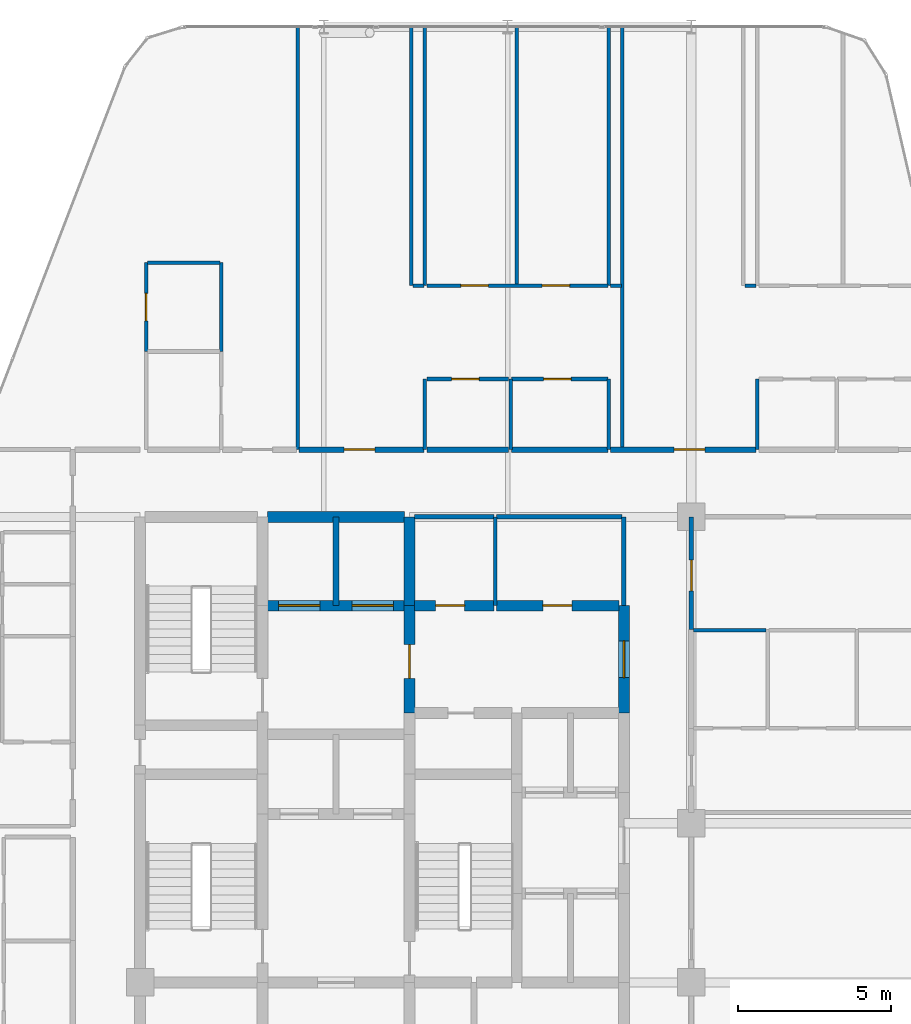
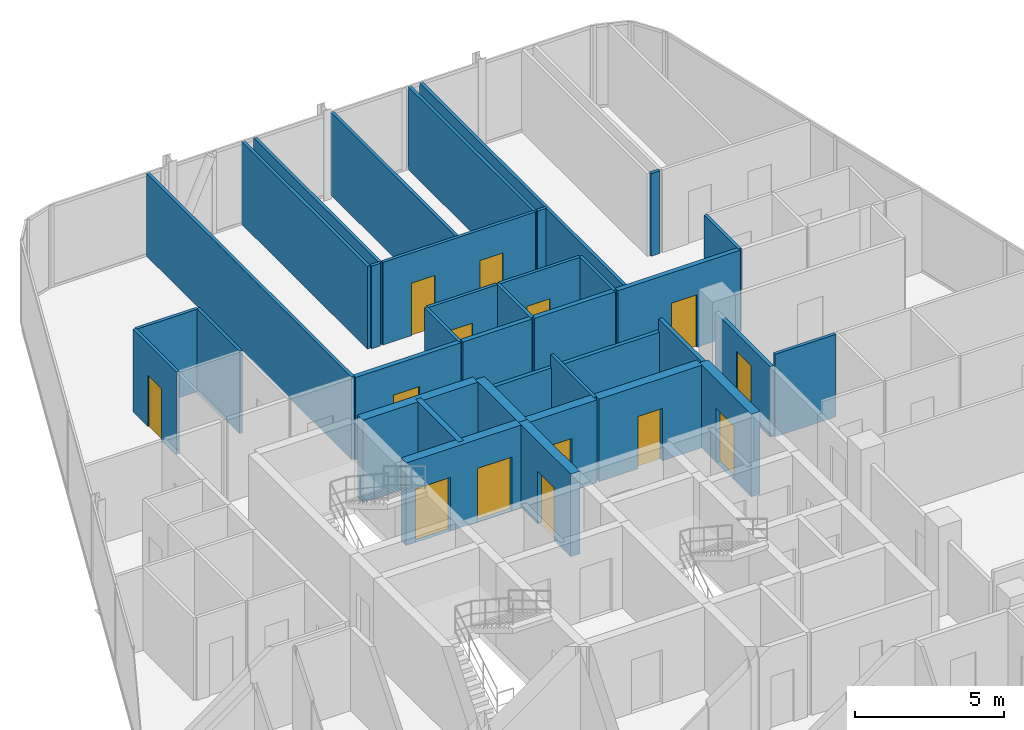
# One storey, part 27 of 29: 37 walls, 14 doors, 14 openings.
"""IFC4 building model written with IfcOpenShell, lengths in metres."""

from ifc_helpers import new_model, si_unit, direction, frame, frame_2d, origin, place, context, subcontext, project, spatial, rectangle, extrude, material, layer, layer_set, type_object, element, fill, save


model = new_model("IFC4")

# Units and contexts
model_context = context("Model", 3, precision=1e-05, world=origin(), true_north=direction((0.0, 1.0)))
body_context = subcontext(model_context, "Body", "Model", "MODEL_VIEW")
ifc_project = project(units=[si_unit("LENGTHUNIT", "METRE"), si_unit("AREAUNIT", "SQUARE_METRE"), si_unit("VOLUMEUNIT", "CUBIC_METRE"), si_unit("PLANEANGLEUNIT", "RADIAN"), si_unit("MASSUNIT", "GRAM", prefix="KILO")], contexts=[model_context])

# Site, building, storey
site_placement = place(None, origin())
site = spatial("IfcSite", under=ifc_project, at=site_placement, CompositionType="ELEMENT")
building_placement = place(site_placement, origin())
building = spatial("IfcBuilding", under=site, at=building_placement, Name="Keshet Zoharim Tower", CompositionType="ELEMENT")
storey_placement = place(building_placement, frame((0.0, 0.0, 199.5)))
storey = spatial("IfcBuildingStorey", under=building, at=storey_placement, Name="L49", CompositionType="ELEMENT", Elevation=199.5)

# Wall
ifc_material_1 = material(Name="Gypsum Plasterboard", Category="gypsum")
ifc_layer_1 = layer(ifc_material_1, 0.14990234375)
ifc_layer_set_1 = layer_set([ifc_layer_1], Name="Gypsum Plasterboard")
wall_type_1 = type_object("IfcWallType", Name="WL-CLIN-150", PredefinedType="STANDARD", material=ifc_layer_set_1)
wall_1_placement = place(storey_placement, frame((30.800048828125, 35.0, 0.0), z_axis=(0.0, 0.0, 1.0), x_axis=(0.0, 1.0, 0.0)))
element("IfcWall", 1, at=wall_1_placement, inside=storey, type_object=wall_type_1, Name="L49 Interior Wall 067", PredefinedType="STANDARD", context=body_context, shape_type="SweptSolid", body=[
    extrude(rectangle(XDim=2.89990234375, YDim=0.14990234375, at=frame_2d((1.449951171875, 0.0))), origin(), (0.0, 0.0, 1.0), 3.389892578125),
])

# Wall, opening, door
wall_2_placement = place(storey_placement, frame((33.0, 34.219970703125, 0.0), z_axis=(0.0, 0.0, 1.0), x_axis=(0.0, 1.0, 0.0)))
wall_2 = element("IfcWall", 2, at=wall_2_placement, inside=storey, type_object=wall_type_1, Name="L49 Interior Wall 074", PredefinedType="STANDARD", context=body_context, shape_type="SweptSolid", body=[
    extrude(rectangle(XDim=3.679931640625, YDim=0.14990234375, at=frame_2d((1.83984375, 0.0))), origin(), (0.0, 0.0, 1.0), 2.889892578125),
])
opening_1_placement = place(wall_2_placement, frame((1.26806640625, 0.0, 0.0)))
opening_1 = element("IfcOpeningElement", 3, at=opening_1_placement, cuts=wall_2, Name="Opening D-F310", PredefinedType="OPENING", context=body_context, shape_type="SweptSolid", body=[
    extrude(rectangle(XDim=1.0, YDim=2.14990234375, at=frame_2d((0.5, 1.074951171875))), frame((0.0, 0.0849609375, 0.0), z_axis=(0.0, -1.0, 0.0), x_axis=(1.0, 0.0, 0.0)), (0.0, 0.0, 1.0), 0.169921875),
])
ifc_material_2 = material(Name="Hardwood Timber", Category="wood")
door_type_1 = type_object("IfcDoorType", Name="DR-FD30-100", OperationType="NOTDEFINED", PredefinedType="DOOR", material=ifc_material_2)
door_1_placement = place(opening_1_placement, origin())
door_1 = element("IfcDoor", 4, at=door_1_placement, inside=storey, type_object=door_type_1, Name="L49 North West Residents Services Suite Door 2", OperationType="SINGLE_SWING_RIGHT", OverallHeight=2.14990234375, OverallWidth=1.0, PredefinedType="DOOR", context=body_context, shape_type="SweptSolid", body=[
    extrude(rectangle(XDim=1.0, YDim=2.14990234375, at=frame_2d((0.5, 1.074951171875))), frame((0.0, 0.02490234375, 0.0), z_axis=(0.0, -1.0, 0.0), x_axis=(1.0, 0.0, 0.0)), (0.0, 0.0, 1.0), 0.050048828125),
])
fill(opening_1, door_1)

# Walls
wall_3_placement = place(storey_placement, frame((23.9599609375, 37.89990234375, 0.0), z_axis=(0.0, 0.0, 1.0), x_axis=(1.0, 0.0, 0.0)))
element("IfcWall", 5, at=wall_3_placement, inside=storey, type_object=wall_type_1, Name="L49 Interior Wall 177", PredefinedType="STANDARD", context=body_context, shape_type="SweptSolid", body=[
    extrude(rectangle(XDim=2.594970703125, YDim=0.14990234375, at=frame_2d((1.29736328125, 0.0))), origin(), (0.0, 0.0, 1.0), 2.889892578125),
])
wall_4_placement = place(storey_placement, frame((26.64501953125, 37.89990234375, 0.0), z_axis=(0.0, 0.0, 1.0), x_axis=(1.0, 0.0, 0.0)))
element("IfcWall", 6, at=wall_4_placement, inside=storey, type_object=wall_type_1, Name="L49 Interior Wall 178", PredefinedType="STANDARD", context=body_context, shape_type="SweptSolid", body=[
    extrude(rectangle(XDim=4.094970703125, YDim=0.14990234375, at=frame_2d((2.04736328125, 0.0))), origin(), (0.0, 0.0, 1.0), 2.889892578125),
])

# Wall, opening, door
ifc_material_3 = material(Name="Concrete C60/75", Category="concrete")
ifc_layer_2 = layer(ifc_material_3, 0.35009765625)
ifc_layer_set_2 = layer_set([ifc_layer_2], Name="Concrete C60/75")
wall_type_2 = type_object("IfcWallType", Name="WL-CORE-350", PredefinedType="SHEAR", material=ifc_layer_set_2)
wall_5_placement = place(storey_placement, frame((23.800048828125, 31.5, 0.0), z_axis=(0.0, 0.0, 1.0), x_axis=(0.0, 1.0, 0.0)))
wall_5 = element("IfcWall", 7, at=wall_5_placement, inside=storey, type_object=wall_type_2, Name="L49 Core Shear Wall 042", PredefinedType="SHEAR", context=body_context, shape_type="SweptSolid", body=[
    extrude(rectangle(XDim=3.5, YDim=0.35009765625, at=frame_2d((1.75, 0.0))), origin(), (0.0, 0.0, 1.0), 3.389892578125),
])
opening_2_placement = place(wall_5_placement, frame((1.126953125, 0.0, 0.0)))
opening_2 = element("IfcOpeningElement", 8, at=opening_2_placement, cuts=wall_5, Name="Opening D-F611", PredefinedType="OPENING", context=body_context, shape_type="SweptSolid", body=[
    extrude(rectangle(XDim=1.10009765625, YDim=2.14990234375, at=frame_2d((0.550048828125, 1.074951171875))), frame((0.0, 0.18505859375, 0.0), z_axis=(0.0, -1.0, 0.0), x_axis=(1.0, 0.0, 0.0)), (0.0, 0.0, 1.0), 0.3701171875),
])
door_type_2 = type_object("IfcDoorType", Name="DR-FD60-110", OperationType="NOTDEFINED", PredefinedType="DOOR", material=ifc_material_2)
door_2_placement = place(opening_2_placement, origin())
door_2 = element("IfcDoor", 9, at=door_2_placement, inside=storey, type_object=door_type_2, Name="L49 Firefighting Lobby Fire Door", OperationType="SINGLE_SWING_LEFT", OverallHeight=2.14990234375, OverallWidth=1.10009765625, PredefinedType="DOOR", context=body_context, shape_type="SweptSolid", body=[
    extrude(rectangle(XDim=1.10009765625, YDim=2.14990234375, at=frame_2d((0.550048828125, 1.074951171875))), frame((0.0, 0.02490234375, 0.0), z_axis=(0.0, -1.0, 0.0), x_axis=(1.0, 0.0, 0.0)), (0.0, 0.0, 1.0), 0.050048828125),
])
fill(opening_2, door_2)

# Wall
wall_6_placement = place(storey_placement, frame((23.800048828125, 35.0, 0.0), z_axis=(0.0, 0.0, 1.0), x_axis=(0.0, 1.0, 0.0)))
element("IfcWall", 10, at=wall_6_placement, inside=storey, type_object=wall_type_2, Name="L49 Core Shear Wall 043", PredefinedType="SHEAR", context=body_context, shape_type="SweptSolid", body=[
    extrude(rectangle(XDim=2.89990234375, YDim=0.35009765625, at=frame_2d((1.449951171875, 0.0))), origin(), (0.0, 0.0, 1.0), 3.389892578125),
])

# Wall, opening, door
wall_7_placement = place(storey_placement, frame((30.800048828125, 31.5, 0.0), z_axis=(0.0, 0.0, 1.0), x_axis=(0.0, 1.0, 0.0)))
wall_7 = element("IfcWall", 11, at=wall_7_placement, inside=storey, type_object=wall_type_2, Name="L49 Core Shear Wall 066", PredefinedType="SHEAR", context=body_context, shape_type="SweptSolid", body=[
    extrude(rectangle(XDim=3.5, YDim=0.35009765625, at=frame_2d((1.75, 0.0))), origin(), (0.0, 0.0, 1.0), 3.389892578125),
])
opening_3_placement = place(wall_7_placement, frame((1.14990234375, 0.0, 0.0)))
opening_3 = element("IfcOpeningElement", 12, at=opening_3_placement, cuts=wall_7, Name="Opening D-F612", PredefinedType="OPENING", context=body_context, shape_type="SweptSolid", body=[
    extrude(rectangle(XDim=1.199951171875, YDim=2.199951171875, at=frame_2d((0.60009765625, 1.10009765625))), frame((0.0, 0.18505859375, 0.0), z_axis=(0.0, -1.0, 0.0), x_axis=(1.0, 0.0, 0.0)), (0.0, 0.0, 1.0), 0.3701171875),
])
door_type_3 = type_object("IfcDoorType", Name="DR-FD60-120", OperationType="NOTDEFINED", PredefinedType="DOOR", material=ifc_material_2)
door_3_placement = place(opening_3_placement, origin())
door_3 = element("IfcDoor", 13, at=door_3_placement, inside=storey, type_object=door_type_3, Name="L49 North Lift Lobby East Fire Door", OperationType="SINGLE_SWING_LEFT", OverallHeight=2.199951171875, OverallWidth=1.199951171875, PredefinedType="DOOR", context=body_context, shape_type="SweptSolid", body=[
    extrude(rectangle(XDim=1.199951171875, YDim=2.199951171875, at=frame_2d((0.60009765625, 1.10009765625))), frame((0.0, 0.02490234375, 0.0), z_axis=(0.0, -1.0, 0.0), x_axis=(1.0, 0.0, 0.0)), (0.0, 0.0, 1.0), 0.050048828125),
])
fill(opening_3, door_3)

# Wall, openings, doors
wall_8_placement = place(storey_placement, frame((19.159912109375, 35.0, 0.0), z_axis=(0.0, 0.0, 1.0), x_axis=(1.0, 0.0, 0.0)))
wall_8 = element("IfcWall", 14, at=wall_8_placement, inside=storey, type_object=wall_type_2, Name="L49 Core Shear Wall 170", PredefinedType="SHEAR", context=body_context, shape_type="SweptSolid", body=[
    extrude(rectangle(XDim=4.47998046875, YDim=0.35009765625, at=frame_2d((2.239990234375, 0.0))), origin(), (0.0, 0.0, 1.0), 3.389892578125),
])
opening_4_placement = place(wall_8_placement, frame((0.364990234375, 0.0, 0.0)))
opening_4 = element("IfcOpeningElement", 15, at=opening_4_placement, cuts=wall_8, Name="Opening LD-02", PredefinedType="OPENING", context=body_context, shape_type="SweptSolid", body=[
    extrude(rectangle(XDim=1.35009765625, YDim=2.199951171875, at=frame_2d((0.675048828125, 1.10009765625))), frame((0.0, 0.18505859375, 0.0), z_axis=(0.0, -1.0, 0.0), x_axis=(1.0, 0.0, 0.0)), (0.0, 0.0, 1.0), 0.3701171875),
])
opening_5_placement = place(wall_8_placement, frame((2.764892578125, 0.0, 0.0)))
opening_5 = element("IfcOpeningElement", 16, at=opening_5_placement, cuts=wall_8, Name="Opening LD-02", PredefinedType="OPENING", context=body_context, shape_type="SweptSolid", body=[
    extrude(rectangle(XDim=1.35009765625, YDim=2.199951171875, at=frame_2d((0.675048828125, 1.10009765625))), frame((0.0, 0.18505859375, 0.0), z_axis=(0.0, -1.0, 0.0), x_axis=(1.0, 0.0, 0.0)), (0.0, 0.0, 1.0), 0.3701171875),
])
ifc_material_4 = material(Name="Steel S355", Category="steel")
door_type_4 = type_object("IfcDoorType", Name="DR-LD02-135", OperationType="DOUBLE_DOOR_SLIDING", PredefinedType="DOOR", material=ifc_material_4)
door_4_placement = place(opening_4_placement, origin())
door_4 = element("IfcDoor", 17, at=door_4_placement, inside=storey, type_object=door_type_4, Name="L49 Firefighting Lift Landing Door FF-01", OperationType="DOUBLE_DOOR_SLIDING", OverallHeight=2.199951171875, OverallWidth=1.35009765625, PredefinedType="DOOR", context=body_context, shape_type="SweptSolid", body=[
    extrude(rectangle(XDim=1.35009765625, YDim=2.199951171875, at=frame_2d((0.675048828125, 1.10009765625))), frame((0.0, 0.02490234375, 0.0), z_axis=(0.0, -1.0, 0.0), x_axis=(1.0, 0.0, 0.0)), (0.0, 0.0, 1.0), 0.050048828125),
])
fill(opening_4, door_4)
door_5_placement = place(opening_5_placement, origin())
door_5 = element("IfcDoor", 18, at=door_5_placement, inside=storey, type_object=door_type_4, Name="L49 Firefighting Lift Landing Door FF-02", OperationType="DOUBLE_DOOR_SLIDING", OverallHeight=2.199951171875, OverallWidth=1.35009765625, PredefinedType="DOOR", context=body_context, shape_type="SweptSolid", body=[
    extrude(rectangle(XDim=1.35009765625, YDim=2.199951171875, at=frame_2d((0.675048828125, 1.10009765625))), frame((0.0, 0.02490234375, 0.0), z_axis=(0.0, -1.0, 0.0), x_axis=(1.0, 0.0, 0.0)), (0.0, 0.0, 1.0), 0.050048828125),
])
fill(opening_5, door_5)

# Wall, opening, door
wall_9_placement = place(storey_placement, frame((23.9599609375, 35.0, 0.0), z_axis=(0.0, 0.0, 1.0), x_axis=(1.0, 0.0, 0.0)))
wall_9 = element("IfcWall", 19, at=wall_9_placement, inside=storey, type_object=wall_type_2, Name="L49 Core Shear Wall 171", PredefinedType="SHEAR", context=body_context, shape_type="SweptSolid", body=[
    extrude(rectangle(XDim=2.594970703125, YDim=0.35009765625, at=frame_2d((1.29736328125, 0.0))), origin(), (0.0, 0.0, 1.0), 3.389892578125),
])
opening_6_placement = place(wall_9_placement, frame((0.69091796875, 0.0, 0.0)))
opening_6 = element("IfcOpeningElement", 20, at=opening_6_placement, cuts=wall_9, Name="Opening D-F695", PredefinedType="OPENING", context=body_context, shape_type="SweptSolid", body=[
    extrude(rectangle(XDim=0.949951171875, YDim=2.14990234375, at=frame_2d((0.47509765625, 1.074951171875))), frame((0.0, 0.18505859375, 0.0), z_axis=(0.0, -1.0, 0.0), x_axis=(1.0, 0.0, 0.0)), (0.0, 0.0, 1.0), 0.3701171875),
])
door_type_5 = type_object("IfcDoorType", Name="DR-FD60-095", OperationType="NOTDEFINED", PredefinedType="DOOR", material=ifc_material_2)
door_6_placement = place(opening_6_placement, frame((0.949951171875, 0.0, 0.0), z_axis=(0.0, 0.0, 1.0), x_axis=(-1.0, 0.0, 0.0)))
door_6 = element("IfcDoor", 21, at=door_6_placement, inside=storey, type_object=door_type_5, Name="L49 Laundry Room Door", OperationType="SINGLE_SWING_LEFT", OverallHeight=2.14990234375, OverallWidth=0.949951171875, PredefinedType="DOOR", context=body_context, shape_type="SweptSolid", body=[
    extrude(rectangle(XDim=0.949951171875, YDim=2.14990234375, at=frame_2d((0.47509765625, 1.074951171875))), frame((0.0, 0.02490234375, 0.0), z_axis=(0.0, -1.0, 0.0), x_axis=(1.0, 0.0, 0.0)), (0.0, 0.0, 1.0), 0.050048828125),
])
fill(opening_6, door_6)

wall_10_placement = place(storey_placement, frame((26.64501953125, 35.0, 0.0), z_axis=(0.0, 0.0, 1.0), x_axis=(1.0, 0.0, 0.0)))
wall_10 = element("IfcWall", 22, at=wall_10_placement, inside=storey, type_object=wall_type_2, Name="L49 Core Shear Wall 172", PredefinedType="SHEAR", context=body_context, shape_type="SweptSolid", body=[
    extrude(rectangle(XDim=3.994873046875, YDim=0.35009765625, at=frame_2d((1.99755859375, 0.0))), origin(), (0.0, 0.0, 1.0), 3.389892578125),
])
opening_7_placement = place(wall_10_placement, frame((1.508056640625, 0.0, 0.0)))
opening_7 = element("IfcOpeningElement", 23, at=opening_7_placement, cuts=wall_10, Name="Opening D-F695", PredefinedType="OPENING", context=body_context, shape_type="SweptSolid", body=[
    extrude(rectangle(XDim=0.949951171875, YDim=2.14990234375, at=frame_2d((0.47509765625, 1.074951171875))), frame((0.0, 0.18505859375, 0.0), z_axis=(0.0, -1.0, 0.0), x_axis=(1.0, 0.0, 0.0)), (0.0, 0.0, 1.0), 0.3701171875),
])
door_7_placement = place(opening_7_placement, frame((0.949951171875, 0.0, 0.0), z_axis=(0.0, 0.0, 1.0), x_axis=(-1.0, 0.0, 0.0)))
door_7 = element("IfcDoor", 24, at=door_7_placement, inside=storey, type_object=door_type_5, Name="L49 Quiet Study Room Door", OperationType="SINGLE_SWING_RIGHT", OverallHeight=2.14990234375, OverallWidth=0.949951171875, PredefinedType="DOOR", context=body_context, shape_type="SweptSolid", body=[
    extrude(rectangle(XDim=0.949951171875, YDim=2.14990234375, at=frame_2d((0.47509765625, 1.074951171875))), frame((0.0, 0.02490234375, 0.0), z_axis=(0.0, -1.0, 0.0), x_axis=(1.0, 0.0, 0.0)), (0.0, 0.0, 1.0), 0.050048828125),
])
fill(opening_7, door_7)

# Wall
wall_11_placement = place(storey_placement, frame((19.159912109375, 37.89990234375, 0.0), z_axis=(0.0, 0.0, 1.0), x_axis=(1.0, 0.0, 0.0)))
element("IfcWall", 25, at=wall_11_placement, inside=storey, type_object=wall_type_2, Name="L49 Core Shear Wall 176", PredefinedType="SHEAR", context=body_context, shape_type="SweptSolid", body=[
    extrude(rectangle(XDim=4.47998046875, YDim=0.35009765625, at=frame_2d((2.239990234375, 0.0))), origin(), (0.0, 0.0, 1.0), 3.389892578125),
])

# Wall, opening, door
ifc_layer_3 = layer(ifc_material_1, 0.179931640625)
ifc_layer_set_3 = layer_set([ifc_layer_3], Name="Gypsum Plasterboard")
wall_type_3 = type_object("IfcWallType", Name="WL-CORR-180", PredefinedType="STANDARD", material=ifc_layer_set_3)
wall_12_placement = place(storey_placement, frame((20.195068359375, 40.10009765625, 0.0), z_axis=(0.0, 0.0, 1.0), x_axis=(1.0, 0.0, 0.0)))
wall_12 = element("IfcWall", 26, at=wall_12_placement, inside=storey, type_object=wall_type_3, Name="L49 Interior Wall 184", PredefinedType="STANDARD", context=body_context, shape_type="SweptSolid", body=[
    extrude(rectangle(XDim=4.079833984375, YDim=0.179931640625, at=frame_2d((2.0400390625, 0.0))), origin(), (0.0, 0.0, 1.0), 3.389892578125),
])
opening_8_placement = place(wall_12_placement, frame((1.469970703125, 0.0, 0.0)))
opening_8 = element("IfcOpeningElement", 27, at=opening_8_placement, cuts=wall_12, Name="Opening D-F310", PredefinedType="OPENING", context=body_context, shape_type="SweptSolid", body=[
    extrude(rectangle(XDim=1.0, YDim=2.14990234375, at=frame_2d((0.5, 1.074951171875))), frame((0.0, 0.10009765625, 0.0), z_axis=(0.0, -1.0, 0.0), x_axis=(1.0, 0.0, 0.0)), (0.0, 0.0, 1.0), 0.199951171875),
])
door_8_placement = place(opening_8_placement, origin())
door_8 = element("IfcDoor", 28, at=door_8_placement, inside=storey, type_object=door_type_1, Name="Apartment 4906 Entrance Door", OperationType="SINGLE_SWING_LEFT", OverallHeight=2.14990234375, OverallWidth=1.0, PredefinedType="DOOR", context=body_context, shape_type="SweptSolid", body=[
    extrude(rectangle(XDim=1.0, YDim=2.14990234375, at=frame_2d((0.5, 1.074951171875))), frame((0.0, 0.02490234375, 0.0), z_axis=(0.0, -1.0, 0.0), x_axis=(1.0, 0.0, 0.0)), (0.0, 0.0, 1.0), 0.050048828125),
])
fill(opening_8, door_8)

# Walls
wall_13_placement = place(storey_placement, frame((24.364990234375, 40.10009765625, 0.0), z_axis=(0.0, 0.0, 1.0), x_axis=(1.0, 0.0, 0.0)))
element("IfcWall", 29, at=wall_13_placement, inside=storey, type_object=wall_type_3, Name="L49 Interior Wall 185", PredefinedType="STANDARD", context=body_context, shape_type="SweptSolid", body=[
    extrude(rectangle(XDim=2.669921875, YDim=0.179931640625, at=frame_2d((1.3349609375, 0.0))), origin(), (0.0, 0.0, 1.0), 3.389892578125),
])
wall_14_placement = place(storey_placement, frame((27.125, 40.10009765625, 0.0), z_axis=(0.0, 0.0, 1.0), x_axis=(1.0, 0.0, 0.0)))
element("IfcWall", 30, at=wall_14_placement, inside=storey, type_object=wall_type_3, Name="L49 Interior Wall 186", PredefinedType="STANDARD", context=body_context, shape_type="SweptSolid", body=[
    extrude(rectangle(XDim=3.14990234375, YDim=0.179931640625, at=frame_2d((1.574951171875, 0.0))), origin(), (0.0, 0.0, 1.0), 3.389892578125),
])

# Wall, opening, door
wall_15_placement = place(storey_placement, frame((30.364990234375, 40.10009765625, 0.0), z_axis=(0.0, 0.0, 1.0), x_axis=(1.0, 0.0, 0.0)))
wall_15 = element("IfcWall", 31, at=wall_15_placement, inside=storey, type_object=wall_type_3, Name="L49 Interior Wall 187", PredefinedType="STANDARD", context=body_context, shape_type="SweptSolid", body=[
    extrude(rectangle(XDim=4.75, YDim=0.179931640625, at=frame_2d((2.375, 0.0))), origin(), (0.0, 0.0, 1.0), 3.389892578125),
])
opening_9_placement = place(wall_15_placement, frame((2.074951171875, 0.0, 0.0)))
opening_9 = element("IfcOpeningElement", 32, at=opening_9_placement, cuts=wall_15, Name="Opening D-F310", PredefinedType="OPENING", context=body_context, shape_type="SweptSolid", body=[
    extrude(rectangle(XDim=1.0, YDim=2.14990234375, at=frame_2d((0.5, 1.074951171875))), frame((0.0, 0.10009765625, 0.0), z_axis=(0.0, -1.0, 0.0), x_axis=(1.0, 0.0, 0.0)), (0.0, 0.0, 1.0), 0.199951171875),
])
door_9_placement = place(opening_9_placement, origin())
door_9 = element("IfcDoor", 33, at=door_9_placement, inside=storey, type_object=door_type_1, Name="Apartment 4907 Entrance Door", OperationType="SINGLE_SWING_RIGHT", OverallHeight=2.14990234375, OverallWidth=1.0, PredefinedType="DOOR", context=body_context, shape_type="SweptSolid", body=[
    extrude(rectangle(XDim=1.0, YDim=2.14990234375, at=frame_2d((0.5, 1.074951171875))), frame((0.0, 0.02490234375, 0.0), z_axis=(0.0, -1.0, 0.0), x_axis=(1.0, 0.0, 0.0)), (0.0, 0.0, 1.0), 0.050048828125),
])
fill(opening_9, door_9)

# Walls
ifc_material_5 = material(Name="Concrete C50/60", Category="concrete")
ifc_layer_4 = layer(ifc_material_5, 0.199951171875)
ifc_layer_set_4 = layer_set([ifc_layer_4], Name="Concrete C50/60")
wall_type_4 = type_object("IfcWallType", Name="WL-FIRE-200", PredefinedType="STANDARD", material=ifc_layer_set_4)
wall_16_placement = place(storey_placement, frame((21.39990234375, 35.0, 0.0), z_axis=(0.0, 0.0, 1.0), x_axis=(0.0, 1.0, 0.0)))
element("IfcWall", 34, at=wall_16_placement, inside=storey, type_object=wall_type_4, Name="L49 Interior Wall 036", PredefinedType="STANDARD", context=body_context, shape_type="SweptSolid", body=[
    extrude(rectangle(XDim=2.89990234375, YDim=0.199951171875, at=frame_2d((1.449951171875, 0.0))), origin(), (0.0, 0.0, 1.0), 3.389892578125),
])
ifc_layer_5 = layer(ifc_material_1, 0.1201171875)
ifc_layer_set_5 = layer_set([ifc_layer_5], Name="Gypsum Plasterboard")
wall_type_5 = type_object("IfcWallType", Name="WL-PART-120", PredefinedType="PARTITIONING", material=ifc_layer_set_5)
wall_17_placement = place(storey_placement, frame((20.14990234375, 40.10009765625, 0.0), z_axis=(0.0, 0.0, 1.0), x_axis=(0.0, 1.0, 0.0)))
element("IfcWall", 35, at=wall_17_placement, inside=storey, type_object=wall_type_5, Name="L49 Interior Wall 033", PredefinedType="PARTITIONING", context=body_context, shape_type="SweptSolid", body=[
    extrude(rectangle(XDim=13.789794921875, YDim=0.1201171875, at=frame_2d((6.89501953125, 0.0))), origin(), (0.0, 0.0, 1.0), 3.389892578125),
])
wall_18_placement = place(storey_placement, frame((23.85009765625, 45.449951171875, 0.0), z_axis=(0.0, 0.0, 1.0), x_axis=(0.0, 1.0, 0.0)))
element("IfcWall", 36, at=wall_18_placement, inside=storey, type_object=wall_type_5, Name="L49 Interior Wall 044", PredefinedType="PARTITIONING", context=body_context, shape_type="SweptSolid", body=[
    extrude(rectangle(XDim=8.43994140625, YDim=0.1201171875, at=frame_2d((4.219970703125, 0.0))), origin(), (0.0, 0.0, 1.0), 3.389892578125),
])
wall_19_placement = place(storey_placement, frame((24.300048828125, 40.10009765625, 0.0), z_axis=(0.0, 0.0, 1.0), x_axis=(0.0, 1.0, 0.0)))
element("IfcWall", 37, at=wall_19_placement, inside=storey, type_object=wall_type_5, Name="L49 Interior Wall 045", PredefinedType="PARTITIONING", context=body_context, shape_type="SweptSolid", body=[
    extrude(rectangle(XDim=2.2998046875, YDim=0.1201171875, at=frame_2d((1.14990234375, 0.0))), origin(), (0.0, 0.0, 1.0), 3.389892578125),
])
wall_20_placement = place(storey_placement, frame((24.300048828125, 45.449951171875, 0.0), z_axis=(0.0, 0.0, 1.0), x_axis=(0.0, 1.0, 0.0)))
element("IfcWall", 38, at=wall_20_placement, inside=storey, type_object=wall_type_5, Name="L49 Interior Wall 046", PredefinedType="PARTITIONING", context=body_context, shape_type="SweptSolid", body=[
    extrude(rectangle(XDim=8.43994140625, YDim=0.1201171875, at=frame_2d((4.219970703125, 0.0))), origin(), (0.0, 0.0, 1.0), 3.389892578125),
])
wall_21_placement = place(storey_placement, frame((26.60009765625, 35.0, 0.0), z_axis=(0.0, 0.0, 1.0), x_axis=(0.0, 1.0, 0.0)))
element("IfcWall", 39, at=wall_21_placement, inside=storey, type_object=wall_type_5, Name="L49 Interior Wall 049", PredefinedType="PARTITIONING", context=body_context, shape_type="SweptSolid", body=[
    extrude(rectangle(XDim=2.89990234375, YDim=0.1201171875, at=frame_2d((1.449951171875, 0.0))), origin(), (0.0, 0.0, 1.0), 3.389892578125),
])
for number, where, z_axis, x_axis, name in (
    (40, (27.300048828125, 45.449951171875, 0.0), (0.0, 0.0, 1.0), (0.0, 1.0, 0.0), "L49 Interior Wall 055"),
    (41, (30.300048828125, 45.449951171875, 0.0), (0.0, 0.0, 1.0), (0.0, 1.0, 0.0), "L49 Interior Wall 060"),
):
    element("IfcWall", number, at=place(storey_placement, frame(where, z_axis=z_axis, x_axis=x_axis)), inside=storey, type_object=wall_type_5, Name=name, PredefinedType="PARTITIONING", context=body_context, shape_type="SweptSolid", body=[
        extrude(rectangle(XDim=8.43994140625, YDim=0.1201171875, at=frame_2d((4.219970703125, 0.0))), origin(), (0.0, 0.0, 1.0), 3.389892578125),
    ])
wall_22_placement = place(storey_placement, frame((30.75, 40.10009765625, 0.0), z_axis=(0.0, 0.0, 1.0), x_axis=(0.0, 1.0, 0.0)))
element("IfcWall", 42, at=wall_22_placement, inside=storey, type_object=wall_type_5, Name="L49 Interior Wall 061", PredefinedType="PARTITIONING", context=body_context, shape_type="SweptSolid", body=[
    extrude(rectangle(XDim=13.789794921875, YDim=0.1201171875, at=frame_2d((6.89501953125, 0.0))), origin(), (0.0, 0.0, 1.0), 3.389892578125),
])
wall_23_placement = place(storey_placement, frame((35.14990234375, 40.10009765625, 0.0), z_axis=(0.0, 0.0, 1.0), x_axis=(0.0, 1.0, 0.0)))
element("IfcWall", 43, at=wall_23_placement, inside=storey, type_object=wall_type_5, Name="L49 Interior Wall 076", PredefinedType="PARTITIONING", context=body_context, shape_type="SweptSolid", body=[
    extrude(rectangle(XDim=2.2998046875, YDim=0.1201171875, at=frame_2d((1.14990234375, 0.0))), origin(), (0.0, 0.0, 1.0), 3.389892578125),
])
wall_24_placement = place(storey_placement, frame((33.074951171875, 34.199951171875, 0.0), z_axis=(0.0, 0.0, 1.0), x_axis=(1.0, 0.0, 0.0)))
element("IfcWall", 44, at=wall_24_placement, inside=storey, type_object=wall_type_5, Name="L49 Interior Wall 167", PredefinedType="PARTITIONING", context=body_context, shape_type="SweptSolid", body=[
    extrude(rectangle(XDim=2.364013671875, YDim=0.1201171875, at=frame_2d((1.18212890625, 0.0))), origin(), (0.0, 0.0, 1.0), 3.389892578125),
])

# Wall, opening, door
wall_25_placement = place(storey_placement, frame((24.364990234375, 42.39990234375, 0.0), z_axis=(0.0, 0.0, 1.0), x_axis=(1.0, 0.0, 0.0)))
wall_25 = element("IfcWall", 45, at=wall_25_placement, inside=storey, type_object=wall_type_5, Name="L49 Interior Wall 193", PredefinedType="PARTITIONING", context=body_context, shape_type="SweptSolid", body=[
    extrude(rectangle(XDim=2.669921875, YDim=0.1201171875, at=frame_2d((1.3349609375, 0.0))), origin(), (0.0, 0.0, 1.0), 3.389892578125),
])
opening_10_placement = place(wall_25_placement, frame((0.81005859375, 0.0, 0.0)))
opening_10 = element("IfcOpeningElement", 46, at=opening_10_placement, cuts=wall_25, Name="Opening D-IN90", PredefinedType="OPENING", context=body_context, shape_type="SweptSolid", body=[
    extrude(rectangle(XDim=0.89990234375, YDim=2.14990234375, at=frame_2d((0.449951171875, 1.074951171875))), frame((0.0, 0.070068359375, 0.0), z_axis=(0.0, -1.0, 0.0), x_axis=(1.0, 0.0, 0.0)), (0.0, 0.0, 1.0), 0.14013671875),
])
door_type_6 = type_object("IfcDoorType", Name="DR-INT-090", OperationType="NOTDEFINED", PredefinedType="DOOR", material=ifc_material_2)
door_10_placement = place(opening_10_placement, origin())
door_10 = element("IfcDoor", 47, at=door_10_placement, inside=storey, type_object=door_type_6, Name="Apartment 4906 Kitchen Door", OperationType="SINGLE_SWING_LEFT", OverallHeight=2.14990234375, OverallWidth=0.89990234375, PredefinedType="DOOR", context=body_context, shape_type="SweptSolid", body=[
    extrude(rectangle(XDim=0.89990234375, YDim=2.14990234375, at=frame_2d((0.449951171875, 1.074951171875))), frame((0.0, 0.02490234375, 0.0), z_axis=(0.0, -1.0, 0.0), x_axis=(1.0, 0.0, 0.0)), (0.0, 0.0, 1.0), 0.050048828125),
])
fill(opening_10, door_10)

# Wall
wall_26_placement = place(storey_placement, frame((23.9150390625, 45.449951171875, 0.0), z_axis=(0.0, 0.0, 1.0), x_axis=(1.0, 0.0, 0.0)))
element("IfcWall", 48, at=wall_26_placement, inside=storey, type_object=wall_type_5, Name="L49 Interior Wall 198", PredefinedType="PARTITIONING", context=body_context, shape_type="SweptSolid", body=[
    extrude(rectangle(XDim=0.35986328125, YDim=0.1201171875, at=frame_2d((0.179931640625, 0.0))), origin(), (0.0, 0.0, 1.0), 3.389892578125),
])

# Wall, openings, doors
wall_27_placement = place(storey_placement, frame((24.364990234375, 45.449951171875, 0.0), z_axis=(0.0, 0.0, 1.0), x_axis=(1.0, 0.0, 0.0)))
wall_27 = element("IfcWall", 49, at=wall_27_placement, inside=storey, type_object=wall_type_5, Name="L49 Interior Wall 199", PredefinedType="PARTITIONING", context=body_context, shape_type="SweptSolid", body=[
    extrude(rectangle(XDim=5.909912109375, YDim=0.1201171875, at=frame_2d((2.955078125, 0.0))), origin(), (0.0, 0.0, 1.0), 3.389892578125),
])
opening_11_placement = place(wall_27_placement, frame((1.110107421875, 0.0, 0.0)))
opening_11 = element("IfcOpeningElement", 50, at=opening_11_placement, cuts=wall_27, Name="Opening D-IN90", PredefinedType="OPENING", context=body_context, shape_type="SweptSolid", body=[
    extrude(rectangle(XDim=0.89990234375, YDim=2.14990234375, at=frame_2d((0.449951171875, 1.074951171875))), frame((0.0, 0.070068359375, 0.0), z_axis=(0.0, -1.0, 0.0), x_axis=(1.0, 0.0, 0.0)), (0.0, 0.0, 1.0), 0.14013671875),
])
opening_12_placement = place(wall_27_placement, frame((3.760009765625, 0.0, 0.0)))
opening_12 = element("IfcOpeningElement", 51, at=opening_12_placement, cuts=wall_27, Name="Opening D-IN90", PredefinedType="OPENING", context=body_context, shape_type="SweptSolid", body=[
    extrude(rectangle(XDim=0.89990234375, YDim=2.14990234375, at=frame_2d((0.449951171875, 1.074951171875))), frame((0.0, 0.070068359375, 0.0), z_axis=(0.0, -1.0, 0.0), x_axis=(1.0, 0.0, 0.0)), (0.0, 0.0, 1.0), 0.14013671875),
])
door_11_placement = place(opening_11_placement, origin())
door_11 = element("IfcDoor", 52, at=door_11_placement, inside=storey, type_object=door_type_6, Name="Apartment 4906 Bedroom 1 Door", OperationType="SINGLE_SWING_LEFT", OverallHeight=2.14990234375, OverallWidth=0.89990234375, PredefinedType="DOOR", context=body_context, shape_type="SweptSolid", body=[
    extrude(rectangle(XDim=0.89990234375, YDim=2.14990234375, at=frame_2d((0.449951171875, 1.074951171875))), frame((0.0, 0.02490234375, 0.0), z_axis=(0.0, -1.0, 0.0), x_axis=(1.0, 0.0, 0.0)), (0.0, 0.0, 1.0), 0.050048828125),
])
fill(opening_11, door_11)
door_12_placement = place(opening_12_placement, origin())
door_12 = element("IfcDoor", 53, at=door_12_placement, inside=storey, type_object=door_type_6, Name="Apartment 4906 Bedroom 2 Door", OperationType="SINGLE_SWING_RIGHT", OverallHeight=2.14990234375, OverallWidth=0.89990234375, PredefinedType="DOOR", context=body_context, shape_type="SweptSolid", body=[
    extrude(rectangle(XDim=0.89990234375, YDim=2.14990234375, at=frame_2d((0.449951171875, 1.074951171875))), frame((0.0, 0.02490234375, 0.0), z_axis=(0.0, -1.0, 0.0), x_axis=(1.0, 0.0, 0.0)), (0.0, 0.0, 1.0), 0.050048828125),
])
fill(opening_12, door_12)

# Walls
for number, where, z_axis, x_axis, name in (
    (54, (30.364990234375, 45.449951171875, 0.0), (0.0, 0.0, 1.0), (1.0, 0.0, 0.0), "L49 Interior Wall 200"),
    (55, (34.7548828125, 45.449951171875, 0.0), (0.0, 0.0, 1.0), (1.0, 0.0, 0.0), "L49 Interior Wall 201"),
):
    element("IfcWall", number, at=place(storey_placement, frame(where, z_axis=z_axis, x_axis=x_axis)), inside=storey, type_object=wall_type_5, Name=name, PredefinedType="PARTITIONING", context=body_context, shape_type="SweptSolid", body=[
        extrude(rectangle(XDim=0.360107421875, YDim=0.1201171875, at=frame_2d((0.18017578125, 0.0))), origin(), (0.0, 0.0, 1.0), 3.389892578125),
    ])

# Wall, opening, door
ifc_layer_6 = layer(ifc_material_1, 0.1201171875)
ifc_layer_set_6 = layer_set([ifc_layer_6], Name="Gypsum Plasterboard")
wall_type_6 = type_object("IfcWallType", Name="WL-WET-120", PredefinedType="PARTITIONING", material=ifc_layer_set_6)
wall_28_placement = place(storey_placement, frame((15.199951171875, 43.300048828125, 0.0), z_axis=(0.0, 0.0, 1.0), x_axis=(0.0, 1.0, 0.0)))
wall_28 = element("IfcWall", 56, at=wall_28_placement, inside=storey, type_object=wall_type_6, Name="L49 Interior Wall 021", PredefinedType="PARTITIONING", context=body_context, shape_type="SweptSolid", body=[
    extrude(rectangle(XDim=2.89990234375, YDim=0.1201171875, at=frame_2d((1.449951171875, 0.0))), origin(), (0.0, 0.0, 1.0), 3.389892578125),
])
opening_13_placement = place(wall_28_placement, frame((1.0, 0.0, 0.0)))
opening_13 = element("IfcOpeningElement", 57, at=opening_13_placement, cuts=wall_28, Name="Opening D-WT90", PredefinedType="OPENING", context=body_context, shape_type="SweptSolid", body=[
    extrude(rectangle(XDim=0.89990234375, YDim=2.10009765625, at=frame_2d((0.449951171875, 1.050048828125))), frame((0.0, 0.070068359375, 0.0), z_axis=(0.0, -1.0, 0.0), x_axis=(1.0, 0.0, 0.0)), (0.0, 0.0, 1.0), 0.14013671875),
])
door_type_7 = type_object("IfcDoorType", Name="DR-WET-090", OperationType="NOTDEFINED", PredefinedType="DOOR", material=ifc_material_2)
door_13_placement = place(opening_13_placement, origin())
door_13 = element("IfcDoor", 58, at=door_13_placement, inside=storey, type_object=door_type_7, Name="Apartment 4905 Bathroom Door", OperationType="SINGLE_SWING_RIGHT", OverallHeight=2.10009765625, OverallWidth=0.89990234375, PredefinedType="DOOR", context=body_context, shape_type="SweptSolid", body=[
    extrude(rectangle(XDim=0.89990234375, YDim=2.10009765625, at=frame_2d((0.449951171875, 1.050048828125))), frame((0.0, 0.02490234375, 0.0), z_axis=(0.0, -1.0, 0.0), x_axis=(1.0, 0.0, 0.0)), (0.0, 0.0, 1.0), 0.050048828125),
])
fill(opening_13, door_13)

# Walls
wall_29_placement = place(storey_placement, frame((17.64990234375, 43.300048828125, 0.0), z_axis=(0.0, 0.0, 1.0), x_axis=(0.0, 1.0, 0.0)))
element("IfcWall", 59, at=wall_29_placement, inside=storey, type_object=wall_type_6, Name="L49 Interior Wall 025", PredefinedType="PARTITIONING", context=body_context, shape_type="SweptSolid", body=[
    extrude(rectangle(XDim=2.89990234375, YDim=0.1201171875, at=frame_2d((1.449951171875, 0.0))), origin(), (0.0, 0.0, 1.0), 3.389892578125),
])
for number, where, z_axis, x_axis, name in (
    (60, (27.10009765625, 40.10009765625, 0.0), (0.0, 0.0, 1.0), (0.0, 1.0, 0.0), "L49 Interior Wall 050"),
    (61, (30.300048828125, 40.10009765625, 0.0), (0.0, 0.0, 1.0), (0.0, 1.0, 0.0), "L49 Interior Wall 059"),
):
    element("IfcWall", number, at=place(storey_placement, frame(where, z_axis=z_axis, x_axis=x_axis)), inside=storey, type_object=wall_type_6, Name=name, PredefinedType="PARTITIONING", context=body_context, shape_type="SweptSolid", body=[
        extrude(rectangle(XDim=2.2998046875, YDim=0.1201171875, at=frame_2d((1.14990234375, 0.0))), origin(), (0.0, 0.0, 1.0), 3.389892578125),
    ])

# Wall, opening, door
wall_30_placement = place(storey_placement, frame((27.125, 42.39990234375, 0.0), z_axis=(0.0, 0.0, 1.0), x_axis=(1.0, 0.0, 0.0)))
wall_30 = element("IfcWall", 62, at=wall_30_placement, inside=storey, type_object=wall_type_6, Name="L49 Interior Wall 194", PredefinedType="PARTITIONING", context=body_context, shape_type="SweptSolid", body=[
    extrude(rectangle(XDim=3.14990234375, YDim=0.1201171875, at=frame_2d((1.574951171875, 0.0))), origin(), (0.0, 0.0, 1.0), 3.389892578125),
])
opening_14_placement = place(wall_30_placement, frame((1.053955078125, 0.0, 0.0)))
opening_14 = element("IfcOpeningElement", 63, at=opening_14_placement, cuts=wall_30, Name="Opening D-WT90", PredefinedType="OPENING", context=body_context, shape_type="SweptSolid", body=[
    extrude(rectangle(XDim=0.89990234375, YDim=2.10009765625, at=frame_2d((0.449951171875, 1.050048828125))), frame((0.0, 0.070068359375, 0.0), z_axis=(0.0, -1.0, 0.0), x_axis=(1.0, 0.0, 0.0)), (0.0, 0.0, 1.0), 0.14013671875),
])
door_14_placement = place(opening_14_placement, origin())
door_14 = element("IfcDoor", 64, at=door_14_placement, inside=storey, type_object=door_type_7, Name="Apartment 4906 Bathroom Door", OperationType="SINGLE_SWING_RIGHT", OverallHeight=2.10009765625, OverallWidth=0.89990234375, PredefinedType="DOOR", context=body_context, shape_type="SweptSolid", body=[
    extrude(rectangle(XDim=0.89990234375, YDim=2.10009765625, at=frame_2d((0.449951171875, 1.050048828125))), frame((0.0, 0.02490234375, 0.0), z_axis=(0.0, -1.0, 0.0), x_axis=(1.0, 0.0, 0.0)), (0.0, 0.0, 1.0), 0.050048828125),
])
fill(opening_14, door_14)

# Wall
wall_31_placement = place(storey_placement, frame((15.2451171875, 46.199951171875, 0.0), z_axis=(0.0, 0.0, 1.0), x_axis=(1.0, 0.0, 0.0)))
element("IfcWall", 65, at=wall_31_placement, inside=storey, type_object=wall_type_6, Name="L49 Interior Wall 203", PredefinedType="PARTITIONING", context=body_context, shape_type="SweptSolid", body=[
    extrude(rectangle(XDim=2.35986328125, YDim=0.1201171875, at=frame_2d((1.179931640625, 0.0))), origin(), (0.0, 0.0, 1.0), 3.389892578125),
])

save(model, "model.ifc")
